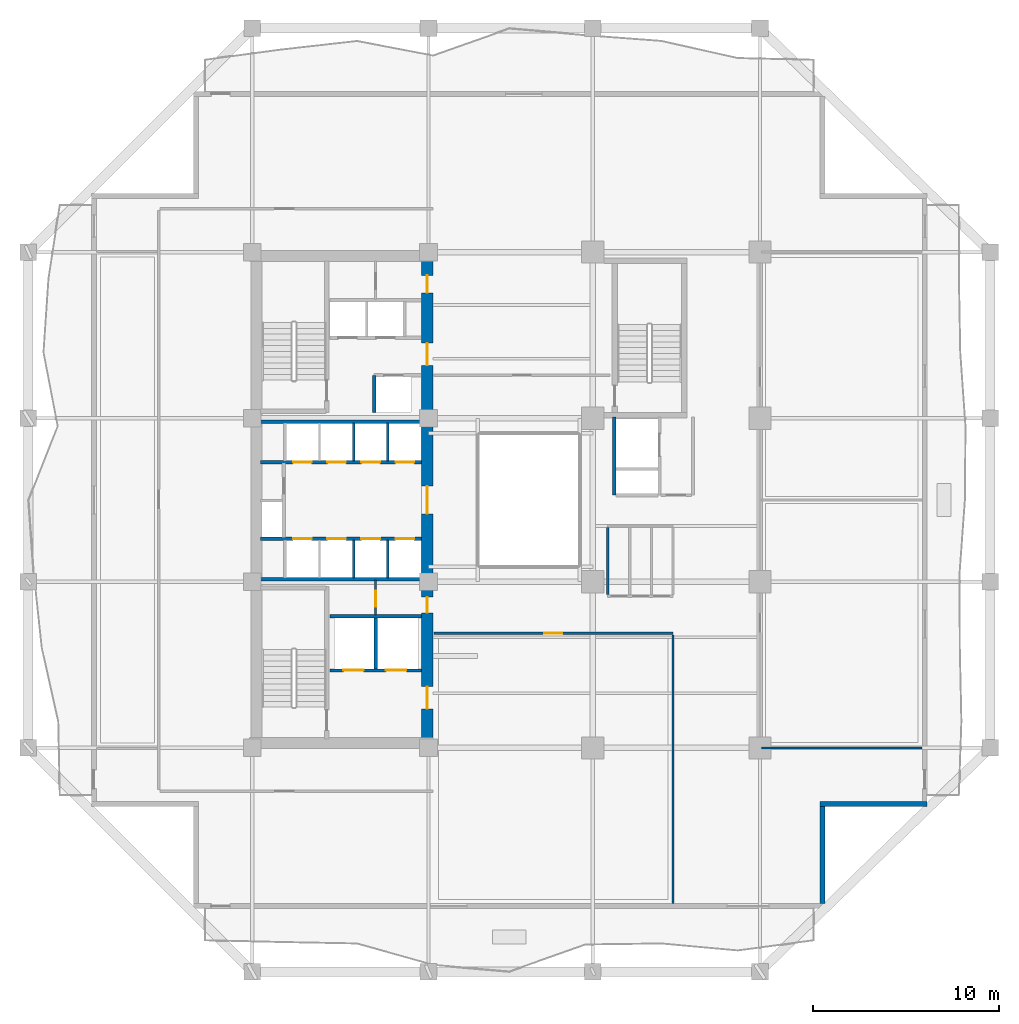
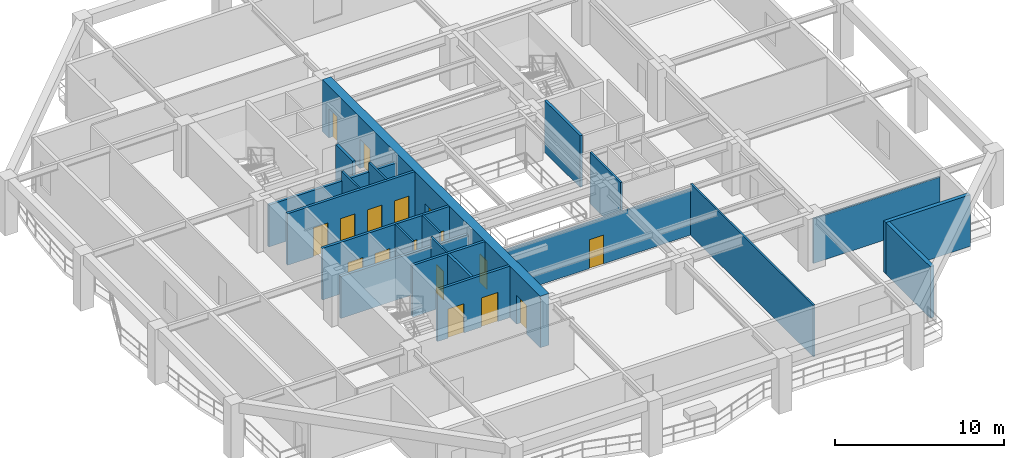
# One storey, part 3 of 13: 21 walls, 17 doors, 17 openings.
"""IFC4 building model written with IfcOpenShell, lengths in metres."""

from ifc_helpers import new_model, si_unit, direction, frame, frame_2d, origin, place, context, subcontext, project, spatial, rectangle, extrude, material, layer, layer_set, type_object, element, fill, save


model = new_model("IFC4")

# Units and contexts
model_context = context("Model", 3, precision=1e-05, world=origin(), true_north=direction((0.0, 1.0)))
body_context = subcontext(model_context, "Body", "Model", "MODEL_VIEW")
ifc_project = project(units=[si_unit("LENGTHUNIT", "METRE"), si_unit("AREAUNIT", "SQUARE_METRE"), si_unit("VOLUMEUNIT", "CUBIC_METRE"), si_unit("PLANEANGLEUNIT", "RADIAN"), si_unit("MASSUNIT", "GRAM", prefix="KILO")], contexts=[model_context])

# Site, building, storey
site_placement = place(None, origin())
site = spatial("IfcSite", under=ifc_project, at=site_placement, CompositionType="ELEMENT")
building_placement = place(site_placement, origin())
building = spatial("IfcBuilding", under=site, at=building_placement, Name="Kundavana Baori Tower", CompositionType="ELEMENT")
storey_placement = place(building_placement, frame((0.0, 0.0, 34.0)))
storey = spatial("IfcBuildingStorey", under=building, at=storey_placement, Name="L07", CompositionType="ELEMENT", Elevation=34.0)

# Wall, openings, doors
ifc_material_1 = material(Name="Concrete C60/75", Category="concrete")
ifc_layer_1 = layer(ifc_material_1, 0.60009765625, Name="WL-CORE-600")
ifc_layer_set_1 = layer_set([ifc_layer_1], Name="Concrete C60/75")
wall_type_1 = type_object("IfcWallType", Name="WL-CORE-600", PredefinedType="SHEAR", material=ifc_layer_set_1)
wall_1_placement = place(storey_placement, frame((24.8798828125, 15.739990234375, 0.0), z_axis=(0.0, 0.0, 1.0), x_axis=(0.0, 1.0, 0.0)))
wall_1 = element("IfcWall", 1, at=wall_1_placement, inside=storey, type_object=wall_type_1, Name="L07 Offset Core East Shear Wall", PredefinedType="SHEAR", context=body_context, shape_type="SweptSolid", body=[
    extrude(rectangle(XDim=25.760009765625, YDim=0.60009765625, at=frame_2d((12.8798828125, 0.0))), origin(), (0.0, 0.0, 1.0), 3.719970703125),
])
opening_1_placement = place(wall_1_placement, frame((1.610107421875, 0.0, 0.0)))
opening_1 = element("IfcOpeningElement", 2, at=opening_1_placement, cuts=wall_1, Name="Opening FD-120", PredefinedType="OPENING", context=body_context, shape_type="SweptSolid", body=[
    extrude(rectangle(XDim=1.199951171875, YDim=2.10009765625, at=frame_2d((0.60009765625, 1.050048828125))), frame((0.0, 0.31005859375, 0.0), z_axis=(0.0, -1.0, 0.0), x_axis=(1.0, 0.0, 0.0)), (0.0, 0.0, 1.0), 0.6201171875),
])
opening_2_placement = place(wall_1_placement, frame((6.780029296875, 0.0, 0.0)))
opening_2 = element("IfcOpeningElement", 3, at=opening_2_placement, cuts=wall_1, Name="Opening FD-085", PredefinedType="OPENING", context=body_context, shape_type="SweptSolid", body=[
    extrude(rectangle(XDim=0.85009765625, YDim=2.06005859375, at=frame_2d((0.425048828125, 1.030029296875))), frame((0.0, 0.31005859375, 0.0), z_axis=(0.0, -1.0, 0.0), x_axis=(1.0, 0.0, 0.0)), (0.0, 0.0, 1.0), 0.6201171875),
])
opening_3_placement = place(wall_1_placement, frame((12.110107421875, 0.0, 0.0)))
opening_3 = element("IfcOpeningElement", 4, at=opening_3_placement, cuts=wall_1, Name="Opening FD-150", PredefinedType="OPENING", context=body_context, shape_type="SweptSolid", body=[
    extrude(rectangle(XDim=1.5, YDim=2.1201171875, at=frame_2d((0.75, 1.06005859375))), frame((0.0, 0.31005859375, 0.0), z_axis=(0.0, -1.0, 0.0), x_axis=(1.0, 0.0, 0.0)), (0.0, 0.0, 1.0), 0.6201171875),
])
opening_4_placement = place(wall_1_placement, frame((20.110107421875, 0.0, 0.0)))
opening_4 = element("IfcOpeningElement", 5, at=opening_4_placement, cuts=wall_1, Name="Opening FD-122", PredefinedType="OPENING", context=body_context, shape_type="SweptSolid", body=[
    extrude(rectangle(XDim=1.199951171875, YDim=2.1201171875, at=frame_2d((0.60009765625, 1.06005859375))), frame((0.0, 0.31005859375, 0.0), z_axis=(0.0, -1.0, 0.0), x_axis=(1.0, 0.0, 0.0)), (0.0, 0.0, 1.0), 0.6201171875),
])
opening_5_placement = place(wall_1_placement, frame((24.010009765625, 0.0, 0.0)))
opening_5 = element("IfcOpeningElement", 6, at=opening_5_placement, cuts=wall_1, Name="Opening FD-095", PredefinedType="OPENING", context=body_context, shape_type="SweptSolid", body=[
    extrude(rectangle(XDim=0.949951171875, YDim=2.10009765625, at=frame_2d((0.47509765625, 1.050048828125))), frame((0.0, 0.31005859375, 0.0), z_axis=(0.0, -1.0, 0.0), x_axis=(1.0, 0.0, 0.0)), (0.0, 0.0, 1.0), 0.6201171875),
])
ifc_material_2 = material(Name="Galvanised Steel Fire-Rated Door Leaf", Category="steel")
door_type_1 = type_object("IfcDoorType", Name="DR-FD120-1200", OperationType="NOTDEFINED", PredefinedType="DOOR", material=ifc_material_2)
door_1_placement = place(opening_1_placement, frame((1.199951171875, 0.0, 0.0), z_axis=(0.0, 0.0, 1.0), x_axis=(-1.0, 0.0, 0.0)))
door_1 = element("IfcDoor", 7, at=door_1_placement, inside=storey, type_object=door_type_1, Name="DR-L07-FFLOB-E", OperationType="SINGLE_SWING_RIGHT", OverallHeight=2.10009765625, OverallWidth=1.199951171875, PredefinedType="DOOR", context=body_context, shape_type="SweptSolid", body=[
    extrude(rectangle(XDim=1.199951171875, YDim=2.10009765625, at=frame_2d((0.60009765625, 1.050048828125))), frame((0.0, 0.02490234375, 0.0), z_axis=(0.0, -1.0, 0.0), x_axis=(1.0, 0.0, 0.0)), (0.0, 0.0, 1.0), 0.050048828125),
])
fill(opening_1, door_1)
ifc_material_3 = material(Name="Galvanised Steel Fire-Rated Door Leaf", Category="steel")
door_type_2 = type_object("IfcDoorType", Name="DR-FD60-1200", OperationType="NOTDEFINED", PredefinedType="DOOR", material=ifc_material_3)
door_2_placement = place(opening_4_placement, frame((1.199951171875, 0.0, 0.0), z_axis=(0.0, 0.0, 1.0), x_axis=(-1.0, 0.0, 0.0)))
door_2 = element("IfcDoor", 8, at=door_2_placement, inside=storey, type_object=door_type_2, Name="DR-L07-HRLOB-E", OperationType="SINGLE_SWING_RIGHT", OverallHeight=2.1201171875, OverallWidth=1.199951171875, PredefinedType="DOOR", context=body_context, shape_type="SweptSolid", body=[
    extrude(rectangle(XDim=1.199951171875, YDim=2.1201171875, at=frame_2d((0.60009765625, 1.06005859375))), frame((0.0, 0.02490234375, 0.0), z_axis=(0.0, -1.0, 0.0), x_axis=(1.0, 0.0, 0.0)), (0.0, 0.0, 1.0), 0.050048828125),
])
fill(opening_4, door_2)
ifc_material_4 = material(Name="Galvanised Steel Fire-Rated Door Leaf", Category="steel")
door_type_3 = type_object("IfcDoorType", Name="DR-FD60-1500", OperationType="NOTDEFINED", PredefinedType="DOOR", material=ifc_material_4)
door_3_placement = place(opening_3_placement, frame((1.5, 0.0, 0.0), z_axis=(0.0, 0.0, 1.0), x_axis=(-1.0, 0.0, 0.0)))
door_3 = element("IfcDoor", 9, at=door_3_placement, inside=storey, type_object=door_type_3, Name="DR-L07-LIFTHALL-E", OperationType="SINGLE_SWING_LEFT", OverallHeight=2.1201171875, OverallWidth=1.5, PredefinedType="DOOR", context=body_context, shape_type="SweptSolid", body=[
    extrude(rectangle(XDim=1.5, YDim=2.1201171875, at=frame_2d((0.75, 1.06005859375))), frame((0.0, 0.02490234375, 0.0), z_axis=(0.0, -1.0, 0.0), x_axis=(1.0, 0.0, 0.0)), (0.0, 0.0, 1.0), 0.050048828125),
])
fill(opening_3, door_3)
ifc_material_5 = material(Name="Galvanised Steel Fire-Rated Door Leaf", Category="steel")
door_type_4 = type_object("IfcDoorType", Name="DR-FD60-850", OperationType="NOTDEFINED", PredefinedType="DOOR", material=ifc_material_5)
door_4_placement = place(opening_2_placement, frame((0.85009765625, 0.0, 0.0), z_axis=(0.0, 0.0, 1.0), x_axis=(-1.0, 0.0, 0.0)))
door_4 = element("IfcDoor", 10, at=door_4_placement, inside=storey, type_object=door_type_4, Name="DR-L07-CSMK2", OperationType="SINGLE_SWING_RIGHT", OverallHeight=2.06005859375, OverallWidth=0.85009765625, PredefinedType="DOOR", context=body_context, shape_type="SweptSolid", body=[
    extrude(rectangle(XDim=0.85009765625, YDim=2.06005859375, at=frame_2d((0.425048828125, 1.030029296875))), frame((0.0, 0.02490234375, 0.0), z_axis=(0.0, -1.0, 0.0), x_axis=(1.0, 0.0, 0.0)), (0.0, 0.0, 1.0), 0.050048828125),
])
fill(opening_2, door_4)
ifc_material_6 = material(Name="Engineered Teak Fire-Rated Timber Door Leaf", Category="wood")
door_type_5 = type_object("IfcDoorType", Name="DR-FD60-950", OperationType="NOTDEFINED", PredefinedType="DOOR", material=ifc_material_6)
door_5_placement = place(opening_5_placement, frame((0.949951171875, 0.0, 0.0), z_axis=(0.0, 0.0, 1.0), x_axis=(-1.0, 0.0, 0.0)))
door_5 = element("IfcDoor", 11, at=door_5_placement, inside=storey, type_object=door_type_5, Name="DR-L07-CSRV2", OperationType="SINGLE_SWING_RIGHT", OverallHeight=2.10009765625, OverallWidth=0.949951171875, PredefinedType="DOOR", context=body_context, shape_type="SweptSolid", body=[
    extrude(rectangle(XDim=0.949951171875, YDim=2.10009765625, at=frame_2d((0.47509765625, 1.050048828125))), frame((0.0, 0.02490234375, 0.0), z_axis=(0.0, -1.0, 0.0), x_axis=(1.0, 0.0, 0.0)), (0.0, 0.0, 1.0), 0.050048828125),
])
fill(opening_5, door_5)

# Walls
ifc_material_7 = material(Name="Kiln-Fired Terracotta Brick-Slip Masonry on Concrete C40/50", Category="masonry")
ifc_layer_2 = layer(ifc_material_7, 0.260009765625, Name="WL-EXT-BRK-260")
ifc_layer_set_2 = layer_set([ifc_layer_2], Name="Kiln-Fired Terracotta Brick-Slip Masonry on Concrete C40/50")
wall_type_2 = type_object("IfcWallType", Name="WL-EXT-BRK-260", PredefinedType="SOLIDWALL", material=ifc_layer_set_2)
wall_2_placement = place(storey_placement, frame((46.169921875, 6.860107421875, 0.0), z_axis=(0.0, 0.0, 1.0), x_axis=(0.0, 1.0, 0.0)))
element("IfcWall", 12, at=wall_2_placement, inside=storey, type_object=wall_type_2, Name="L07 Exterior Insulated Facade Wall 02", PredefinedType="SOLIDWALL", context=body_context, shape_type="SweptSolid", body=[
    extrude(rectangle(XDim=5.239990234375, YDim=0.260009765625, at=frame_2d((2.6201171875, 0.0))), origin(), (0.0, 0.0, 1.0), 3.719970703125),
])
wall_3_placement = place(storey_placement, frame((46.0400390625, 12.22998046875, 0.0), z_axis=(0.0, 0.0, 1.0), x_axis=(1.0, 0.0, 0.0)))
element("IfcWall", 13, at=wall_3_placement, inside=storey, type_object=wall_type_2, Name="L07 Exterior Insulated Facade Wall 03", PredefinedType="SOLIDWALL", context=body_context, shape_type="SweptSolid", body=[
    extrude(rectangle(XDim=5.760009765625, YDim=0.260009765625, at=frame_2d((2.8798828125, 0.0))), origin(), (0.0, 0.0, 1.0), 3.719970703125),
])

# Wall, opening, door
ifc_material_8 = material(Name="Acoustic Gypsum Plasterboard on Galvanised Steel Studs", Category="steel")
ifc_layer_3 = layer(ifc_material_8, 0.1201171875, Name="WL-PART-120")
ifc_layer_set_3 = layer_set([ifc_layer_3], Name="Acoustic Gypsum Plasterboard on Galvanised Steel Studs")
wall_type_3 = type_object("IfcWallType", Name="WL-PART-120", PredefinedType="PARTITIONING", material=ifc_layer_set_3)
wall_4_placement = place(storey_placement, frame((22.10009765625, 22.39990234375, 0.0), z_axis=(0.0, 0.0, 1.0), x_axis=(0.0, 1.0, 0.0)))
wall_4 = element("IfcWall", 14, at=wall_4_placement, inside=storey, type_object=wall_type_3, Name="WL-L07-CSMK-D1", PredefinedType="PARTITIONING", context=body_context, shape_type="SweptSolid", body=[
    extrude(rectangle(XDim=1.880126953125, YDim=0.1201171875, at=frame_2d((0.93994140625, 0.0))), origin(), (0.0, 0.0, 1.0), 3.719970703125),
])
opening_6_placement = place(wall_4_placement, frame((0.449951171875, 0.0, 0.0)))
opening_6 = element("IfcOpeningElement", 15, at=opening_6_placement, cuts=wall_4, Name="Opening FD-085", PredefinedType="OPENING", context=body_context, shape_type="SweptSolid", body=[
    extrude(rectangle(XDim=0.85009765625, YDim=2.06005859375, at=frame_2d((0.425048828125, 1.030029296875))), frame((0.0, 0.070068359375, 0.0), z_axis=(0.0, -1.0, 0.0), x_axis=(1.0, 0.0, 0.0)), (0.0, 0.0, 1.0), 0.14013671875),
])
door_6_placement = place(opening_6_placement, origin())
door_6 = element("IfcDoor", 16, at=door_6_placement, inside=storey, type_object=door_type_4, Name="DR-L07-CSMK1", OperationType="SINGLE_SWING_LEFT", OverallHeight=2.06005859375, OverallWidth=0.85009765625, PredefinedType="DOOR", context=body_context, shape_type="SweptSolid", body=[
    extrude(rectangle(XDim=0.85009765625, YDim=2.06005859375, at=frame_2d((0.425048828125, 1.030029296875))), frame((0.0, 0.02490234375, 0.0), z_axis=(0.0, -1.0, 0.0), x_axis=(1.0, 0.0, 0.0)), (0.0, 0.0, 1.0), 0.050048828125),
])
fill(opening_6, door_6)

# Walls
for number, where, z_axis, x_axis, name in (
    (17, (20.919921875, 24.39990234375, 0.0), (0.0, 0.0, 1.0), (0.0, 1.0, 0.0), "WL-L07-LPLOW-D2"),
    (18, (22.760009765625, 24.39990234375, 0.0), (0.0, 0.0, 1.0), (0.0, 1.0, 0.0), "WL-L07-LPLOW-D3"),
    (19, (20.919921875, 30.699951171875, 0.0), (0.0, 0.0, 1.0), (0.0, 1.0, 0.0), "WL-L07-LPMID-D2"),
    (20, (22.760009765625, 30.699951171875, 0.0), (0.0, 0.0, 1.0), (0.0, 1.0, 0.0), "WL-L07-LPMID-D3"),
):
    element("IfcWall", number, at=place(storey_placement, frame(where, z_axis=z_axis, x_axis=x_axis)), inside=storey, type_object=wall_type_3, Name=name, PredefinedType="PARTITIONING", context=body_context, shape_type="SweptSolid", body=[
        extrude(rectangle(XDim=2.050048828125, YDim=0.1201171875, at=frame_2d((1.02490234375, 0.0))), origin(), (0.0, 0.0, 1.0), 3.719970703125),
    ])

# Wall, opening, door
wall_5_placement = place(storey_placement, frame((25.25, 21.419921875, 0.0), z_axis=(0.0, 0.0, 1.0), x_axis=(1.0, 0.0, 0.0)))
wall_5 = element("IfcWall", 21, at=wall_5_placement, inside=storey, type_object=wall_type_3, Name="WL-L07-OFS", PredefinedType="PARTITIONING", context=body_context, shape_type="SweptSolid", body=[
    extrude(rectangle(XDim=12.8701171875, YDim=0.1201171875, at=frame_2d((6.43505859375, 0.0))), origin(), (0.0, 0.0, 1.0), 3.320068359375),
])
opening_7_placement = place(wall_5_placement, frame((5.945068359375, 0.0, 0.0)))
opening_7 = element("IfcOpeningElement", 22, at=opening_7_placement, cuts=wall_5, Name="Opening ID-095", PredefinedType="OPENING", context=body_context, shape_type="SweptSolid", body=[
    extrude(rectangle(XDim=0.949951171875, YDim=2.080078125, at=frame_2d((0.47509765625, 1.0400390625))), frame((0.0, 0.070068359375, 0.0), z_axis=(0.0, -1.0, 0.0), x_axis=(1.0, 0.0, 0.0)), (0.0, 0.0, 1.0), 0.14013671875),
])
ifc_material_9 = material(Name="Engineered Teak Solid-Core Timber Veneer", Category="wood")
door_type_6 = type_object("IfcDoorType", Name="DR-INT-950", OperationType="NOTDEFINED", PredefinedType="DOOR", material=ifc_material_9)
door_7_placement = place(opening_7_placement, frame((0.949951171875, 0.0, 0.0), z_axis=(0.0, 0.0, 1.0), x_axis=(-1.0, 0.0, 0.0)))
door_7 = element("IfcDoor", 23, at=door_7_placement, inside=storey, type_object=door_type_6, Name="DR-L07-OFS1", OperationType="SINGLE_SWING_LEFT", OverallHeight=2.080078125, OverallWidth=0.949951171875, PredefinedType="DOOR", context=body_context, shape_type="SweptSolid", body=[
    extrude(rectangle(XDim=0.949951171875, YDim=2.080078125, at=frame_2d((0.47509765625, 1.0400390625))), frame((0.0, 0.02490234375, 0.0), z_axis=(0.0, -1.0, 0.0), x_axis=(1.0, 0.0, 0.0)), (0.0, 0.0, 1.0), 0.050048828125),
])
fill(opening_7, door_7)

# Walls
wall_6_placement = place(storey_placement, frame((38.1201171875, 6.8798828125, 0.0), z_axis=(0.0, 0.0, 1.0), x_axis=(0.0, 1.0, 0.0)))
element("IfcWall", 24, at=wall_6_placement, inside=storey, type_object=wall_type_3, Name="WL-L07-OFSEND", PredefinedType="PARTITIONING", context=body_context, shape_type="SweptSolid", body=[
    extrude(rectangle(XDim=14.460205078125, YDim=0.1201171875, at=frame_2d((7.22998046875, 0.0))), origin(), (0.0, 0.0, 1.0), 3.719970703125),
])
wall_7_placement = place(storey_placement, frame((42.8798828125, 15.25, 0.0), z_axis=(0.0, 0.0, 1.0), x_axis=(1.0, 0.0, 0.0)))
element("IfcWall", 25, at=wall_7_placement, inside=storey, type_object=wall_type_3, Name="WL-L07-OFES", PredefinedType="PARTITIONING", context=body_context, shape_type="SweptSolid", body=[
    extrude(rectangle(XDim=8.64013671875, YDim=0.1201171875, at=frame_2d((4.320068359375, 0.0))), origin(), (0.0, 0.0, 1.0), 3.219970703125),
])

# Wall, openings, doors
ifc_material_10 = material(Name="Autoclaved Aerated Concrete Blockwork Masonry", Category="masonry")
ifc_layer_4 = layer(ifc_material_10, 0.179931640625, Name="WL-SHAFT-180")
ifc_layer_set_4 = layer_set([ifc_layer_4], Name="Autoclaved Aerated Concrete Blockwork Masonry")
wall_type_4 = type_object("IfcWallType", Name="WL-SHAFT-180", PredefinedType="SOLIDWALL", material=ifc_layer_set_4)
wall_8_placement = place(storey_placement, frame((19.639892578125, 19.419921875, 0.0), z_axis=(0.0, 0.0, 1.0), x_axis=(1.0, 0.0, 0.0)))
wall_8 = element("IfcWall", 26, at=wall_8_placement, inside=storey, type_object=wall_type_4, Name="WL-L07-FFL-S", PredefinedType="SOLIDWALL", context=body_context, shape_type="SweptSolid", body=[
    extrude(rectangle(XDim=4.940185546875, YDim=0.179931640625, at=frame_2d((2.47021484375, 0.0))), origin(), (0.0, 0.0, 1.0), 3.719970703125),
])
opening_8_placement = place(wall_8_placement, frame((0.719970703125, 0.0, 0.0)))
opening_8 = element("IfcOpeningElement", 27, at=opening_8_placement, cuts=wall_8, Name="Opening LD-110", PredefinedType="OPENING", context=body_context, shape_type="SweptSolid", body=[
    extrude(rectangle(XDim=1.10009765625, YDim=2.10009765625, at=frame_2d((0.550048828125, 1.050048828125))), frame((0.0, 0.10009765625, 0.0), z_axis=(0.0, -1.0, 0.0), x_axis=(1.0, 0.0, 0.0)), (0.0, 0.0, 1.0), 0.199951171875),
])
opening_9_placement = place(wall_8_placement, frame((3.02001953125, 0.0, 0.0)))
opening_9 = element("IfcOpeningElement", 28, at=opening_9_placement, cuts=wall_8, Name="Opening LD-110", PredefinedType="OPENING", context=body_context, shape_type="SweptSolid", body=[
    extrude(rectangle(XDim=1.10009765625, YDim=2.10009765625, at=frame_2d((0.550048828125, 1.050048828125))), frame((0.0, 0.10009765625, 0.0), z_axis=(0.0, -1.0, 0.0), x_axis=(1.0, 0.0, 0.0)), (0.0, 0.0, 1.0), 0.199951171875),
])
ifc_material_11 = material(Name="Galvanised Steel Fire-Rated Door Leaf", Category="steel")
door_type_7 = type_object("IfcDoorType", Name="DR-SLIDE-LD1100", OperationType="NOTDEFINED", PredefinedType="DOOR", material=ifc_material_11)
door_8_placement = place(opening_8_placement, origin())
door_8 = element("IfcDoor", 29, at=door_8_placement, inside=storey, type_object=door_type_7, Name="DR-L07-LD-FFL-1", OperationType="DOUBLE_DOOR_SLIDING", OverallHeight=2.10009765625, OverallWidth=1.10009765625, PredefinedType="DOOR", context=body_context, shape_type="SweptSolid", body=[
    extrude(rectangle(XDim=1.10009765625, YDim=2.10009765625, at=frame_2d((0.550048828125, 1.050048828125))), frame((0.0, 0.02490234375, 0.0), z_axis=(0.0, -1.0, 0.0), x_axis=(1.0, 0.0, 0.0)), (0.0, 0.0, 1.0), 0.050048828125),
])
fill(opening_8, door_8)
door_9_placement = place(opening_9_placement, origin())
door_9 = element("IfcDoor", 30, at=door_9_placement, inside=storey, type_object=door_type_7, Name="DR-L07-LD-FFL-2", OperationType="DOUBLE_DOOR_SLIDING", OverallHeight=2.10009765625, OverallWidth=1.10009765625, PredefinedType="DOOR", context=body_context, shape_type="SweptSolid", body=[
    extrude(rectangle(XDim=1.10009765625, YDim=2.10009765625, at=frame_2d((0.550048828125, 1.050048828125))), frame((0.0, 0.02490234375, 0.0), z_axis=(0.0, -1.0, 0.0), x_axis=(1.0, 0.0, 0.0)), (0.0, 0.0, 1.0), 0.050048828125),
])
fill(opening_9, door_9)

# Walls
wall_9_placement = place(storey_placement, frame((22.10009765625, 19.510009765625, 0.0), z_axis=(0.0, 0.0, 1.0), x_axis=(0.0, 1.0, 0.0)))
element("IfcWall", 31, at=wall_9_placement, inside=storey, type_object=wall_type_4, Name="WL-L07-FFL-MID", PredefinedType="SOLIDWALL", context=body_context, shape_type="SweptSolid", body=[
    extrude(rectangle(XDim=2.739990234375, YDim=0.179931640625, at=frame_2d((1.3701171875, 0.0))), origin(), (0.0, 0.0, 1.0), 3.719970703125),
])
wall_10_placement = place(storey_placement, frame((19.639892578125, 22.340087890625, 0.0), z_axis=(0.0, 0.0, 1.0), x_axis=(1.0, 0.0, 0.0)))
element("IfcWall", 32, at=wall_10_placement, inside=storey, type_object=wall_type_4, Name="WL-L07-FFL-N", PredefinedType="SOLIDWALL", context=body_context, shape_type="SweptSolid", body=[
    extrude(rectangle(XDim=4.940185546875, YDim=0.179931640625, at=frame_2d((2.47021484375, 0.0))), origin(), (0.0, 0.0, 1.0), 3.719970703125),
])

# Wall, openings, doors
wall_11_placement = place(storey_placement, frame((15.89990234375, 26.52001953125, 0.0), z_axis=(0.0, 0.0, 1.0), x_axis=(1.0, 0.0, 0.0)))
wall_11 = element("IfcWall", 33, at=wall_11_placement, inside=storey, type_object=wall_type_4, Name="WL-L07-LPLOW-N", PredefinedType="SOLIDWALL", context=body_context, shape_type="SweptSolid", body=[
    extrude(rectangle(XDim=8.68017578125, YDim=0.179931640625, at=frame_2d((4.340087890625, 0.0))), origin(), (0.0, 0.0, 1.0), 3.719970703125),
])
opening_10_placement = place(wall_11_placement, frame((1.760009765625, 0.0, 0.0)))
opening_10 = element("IfcOpeningElement", 34, at=opening_10_placement, cuts=wall_11, Name="Opening LD-100", PredefinedType="OPENING", context=body_context, shape_type="SweptSolid", body=[
    extrude(rectangle(XDim=1.0, YDim=2.10009765625, at=frame_2d((0.5, 1.050048828125))), frame((0.0, 0.10009765625, 0.0), z_axis=(0.0, -1.0, 0.0), x_axis=(1.0, 0.0, 0.0)), (0.0, 0.0, 1.0), 0.199951171875),
])
opening_11_placement = place(wall_11_placement, frame((3.60009765625, 0.0, 0.0)))
opening_11 = element("IfcOpeningElement", 35, at=opening_11_placement, cuts=wall_11, Name="Opening LD-100", PredefinedType="OPENING", context=body_context, shape_type="SweptSolid", body=[
    extrude(rectangle(XDim=1.0, YDim=2.10009765625, at=frame_2d((0.5, 1.050048828125))), frame((0.0, 0.10009765625, 0.0), z_axis=(0.0, -1.0, 0.0), x_axis=(1.0, 0.0, 0.0)), (0.0, 0.0, 1.0), 0.199951171875),
])
opening_12_placement = place(wall_11_placement, frame((5.43994140625, 0.0, 0.0)))
opening_12 = element("IfcOpeningElement", 36, at=opening_12_placement, cuts=wall_11, Name="Opening LD-100", PredefinedType="OPENING", context=body_context, shape_type="SweptSolid", body=[
    extrude(rectangle(XDim=1.0, YDim=2.10009765625, at=frame_2d((0.5, 1.050048828125))), frame((0.0, 0.10009765625, 0.0), z_axis=(0.0, -1.0, 0.0), x_axis=(1.0, 0.0, 0.0)), (0.0, 0.0, 1.0), 0.199951171875),
])
opening_13_placement = place(wall_11_placement, frame((7.280029296875, 0.0, 0.0)))
opening_13 = element("IfcOpeningElement", 37, at=opening_13_placement, cuts=wall_11, Name="Opening LD-100", PredefinedType="OPENING", context=body_context, shape_type="SweptSolid", body=[
    extrude(rectangle(XDim=1.0, YDim=2.10009765625, at=frame_2d((0.5, 1.050048828125))), frame((0.0, 0.10009765625, 0.0), z_axis=(0.0, -1.0, 0.0), x_axis=(1.0, 0.0, 0.0)), (0.0, 0.0, 1.0), 0.199951171875),
])
ifc_material_12 = material(Name="Galvanised Steel Fire-Rated Door Leaf", Category="steel")
door_type_8 = type_object("IfcDoorType", Name="DR-SLIDE-LD1000", OperationType="NOTDEFINED", PredefinedType="DOOR", material=ifc_material_12)
door_10_placement = place(opening_10_placement, origin())
door_10 = element("IfcDoor", 38, at=door_10_placement, inside=storey, type_object=door_type_8, Name="DR-L07-LD-LP-01", OperationType="DOUBLE_DOOR_SLIDING", OverallHeight=2.10009765625, OverallWidth=1.0, PredefinedType="DOOR", context=body_context, shape_type="SweptSolid", body=[
    extrude(rectangle(XDim=1.0, YDim=2.10009765625, at=frame_2d((0.5, 1.050048828125))), frame((0.0, 0.02490234375, 0.0), z_axis=(0.0, -1.0, 0.0), x_axis=(1.0, 0.0, 0.0)), (0.0, 0.0, 1.0), 0.050048828125),
])
fill(opening_10, door_10)
door_11_placement = place(opening_11_placement, origin())
door_11 = element("IfcDoor", 39, at=door_11_placement, inside=storey, type_object=door_type_8, Name="DR-L07-LD-LP-02", OperationType="DOUBLE_DOOR_SLIDING", OverallHeight=2.10009765625, OverallWidth=1.0, PredefinedType="DOOR", context=body_context, shape_type="SweptSolid", body=[
    extrude(rectangle(XDim=1.0, YDim=2.10009765625, at=frame_2d((0.5, 1.050048828125))), frame((0.0, 0.02490234375, 0.0), z_axis=(0.0, -1.0, 0.0), x_axis=(1.0, 0.0, 0.0)), (0.0, 0.0, 1.0), 0.050048828125),
])
fill(opening_11, door_11)
door_12_placement = place(opening_12_placement, origin())
door_12 = element("IfcDoor", 40, at=door_12_placement, inside=storey, type_object=door_type_8, Name="DR-L07-LD-LP-03", OperationType="DOUBLE_DOOR_SLIDING", OverallHeight=2.10009765625, OverallWidth=1.0, PredefinedType="DOOR", context=body_context, shape_type="SweptSolid", body=[
    extrude(rectangle(XDim=1.0, YDim=2.10009765625, at=frame_2d((0.5, 1.050048828125))), frame((0.0, 0.02490234375, 0.0), z_axis=(0.0, -1.0, 0.0), x_axis=(1.0, 0.0, 0.0)), (0.0, 0.0, 1.0), 0.050048828125),
])
fill(opening_12, door_12)
door_13_placement = place(opening_13_placement, origin())
door_13 = element("IfcDoor", 41, at=door_13_placement, inside=storey, type_object=door_type_8, Name="DR-L07-LD-LP-04", OperationType="DOUBLE_DOOR_SLIDING", OverallHeight=2.10009765625, OverallWidth=1.0, PredefinedType="DOOR", context=body_context, shape_type="SweptSolid", body=[
    extrude(rectangle(XDim=1.0, YDim=2.10009765625, at=frame_2d((0.5, 1.050048828125))), frame((0.0, 0.02490234375, 0.0), z_axis=(0.0, -1.0, 0.0), x_axis=(1.0, 0.0, 0.0)), (0.0, 0.0, 1.0), 0.050048828125),
])
fill(opening_13, door_13)

# Wall
wall_12_placement = place(storey_placement, frame((15.89990234375, 24.330078125, 0.0), z_axis=(0.0, 0.0, 1.0), x_axis=(1.0, 0.0, 0.0)))
element("IfcWall", 42, at=wall_12_placement, inside=storey, type_object=wall_type_4, Name="WL-L07-LPLOW-S", PredefinedType="SOLIDWALL", context=body_context, shape_type="SweptSolid", body=[
    extrude(rectangle(XDim=8.68017578125, YDim=0.179931640625, at=frame_2d((4.340087890625, 0.0))), origin(), (0.0, 0.0, 1.0), 3.02001953125),
])

# Wall, openings, doors
wall_13_placement = place(storey_placement, frame((15.89990234375, 30.639892578125, 0.0), z_axis=(0.0, 0.0, 1.0), x_axis=(1.0, 0.0, 0.0)))
wall_13 = element("IfcWall", 43, at=wall_13_placement, inside=storey, type_object=wall_type_4, Name="WL-L07-LPMID-S", PredefinedType="SOLIDWALL", context=body_context, shape_type="SweptSolid", body=[
    extrude(rectangle(XDim=8.68017578125, YDim=0.179931640625, at=frame_2d((4.340087890625, 0.0))), origin(), (0.0, 0.0, 1.0), 3.719970703125),
])
opening_14_placement = place(wall_13_placement, frame((1.760009765625, 0.0, 0.0)))
opening_14 = element("IfcOpeningElement", 44, at=opening_14_placement, cuts=wall_13, Name="Opening LD-100", PredefinedType="OPENING", context=body_context, shape_type="SweptSolid", body=[
    extrude(rectangle(XDim=1.0, YDim=2.10009765625, at=frame_2d((0.5, 1.050048828125))), frame((0.0, 0.10009765625, 0.0), z_axis=(0.0, -1.0, 0.0), x_axis=(1.0, 0.0, 0.0)), (0.0, 0.0, 1.0), 0.199951171875),
])
opening_15_placement = place(wall_13_placement, frame((3.60009765625, 0.0, 0.0)))
opening_15 = element("IfcOpeningElement", 45, at=opening_15_placement, cuts=wall_13, Name="Opening LD-100", PredefinedType="OPENING", context=body_context, shape_type="SweptSolid", body=[
    extrude(rectangle(XDim=1.0, YDim=2.10009765625, at=frame_2d((0.5, 1.050048828125))), frame((0.0, 0.10009765625, 0.0), z_axis=(0.0, -1.0, 0.0), x_axis=(1.0, 0.0, 0.0)), (0.0, 0.0, 1.0), 0.199951171875),
])
opening_16_placement = place(wall_13_placement, frame((5.43994140625, 0.0, 0.0)))
opening_16 = element("IfcOpeningElement", 46, at=opening_16_placement, cuts=wall_13, Name="Opening LD-100", PredefinedType="OPENING", context=body_context, shape_type="SweptSolid", body=[
    extrude(rectangle(XDim=1.0, YDim=2.10009765625, at=frame_2d((0.5, 1.050048828125))), frame((0.0, 0.10009765625, 0.0), z_axis=(0.0, -1.0, 0.0), x_axis=(1.0, 0.0, 0.0)), (0.0, 0.0, 1.0), 0.199951171875),
])
opening_17_placement = place(wall_13_placement, frame((7.280029296875, 0.0, 0.0)))
opening_17 = element("IfcOpeningElement", 47, at=opening_17_placement, cuts=wall_13, Name="Opening LD-100", PredefinedType="OPENING", context=body_context, shape_type="SweptSolid", body=[
    extrude(rectangle(XDim=1.0, YDim=2.10009765625, at=frame_2d((0.5, 1.050048828125))), frame((0.0, 0.10009765625, 0.0), z_axis=(0.0, -1.0, 0.0), x_axis=(1.0, 0.0, 0.0)), (0.0, 0.0, 1.0), 0.199951171875),
])
door_14_placement = place(opening_14_placement, frame((1.0, 0.0, 0.0), z_axis=(0.0, 0.0, 1.0), x_axis=(-1.0, 0.0, 0.0)))
door_14 = element("IfcDoor", 48, at=door_14_placement, inside=storey, type_object=door_type_8, Name="DR-L07-LD-LP-05", OperationType="DOUBLE_DOOR_SLIDING", OverallHeight=2.10009765625, OverallWidth=1.0, PredefinedType="DOOR", context=body_context, shape_type="SweptSolid", body=[
    extrude(rectangle(XDim=1.0, YDim=2.10009765625, at=frame_2d((0.5, 1.050048828125))), frame((0.0, 0.02490234375, 0.0), z_axis=(0.0, -1.0, 0.0), x_axis=(1.0, 0.0, 0.0)), (0.0, 0.0, 1.0), 0.050048828125),
])
fill(opening_14, door_14)
door_15_placement = place(opening_15_placement, frame((1.0, 0.0, 0.0), z_axis=(0.0, 0.0, 1.0), x_axis=(-1.0, 0.0, 0.0)))
door_15 = element("IfcDoor", 49, at=door_15_placement, inside=storey, type_object=door_type_8, Name="DR-L07-LD-LP-06", OperationType="DOUBLE_DOOR_SLIDING", OverallHeight=2.10009765625, OverallWidth=1.0, PredefinedType="DOOR", context=body_context, shape_type="SweptSolid", body=[
    extrude(rectangle(XDim=1.0, YDim=2.10009765625, at=frame_2d((0.5, 1.050048828125))), frame((0.0, 0.02490234375, 0.0), z_axis=(0.0, -1.0, 0.0), x_axis=(1.0, 0.0, 0.0)), (0.0, 0.0, 1.0), 0.050048828125),
])
fill(opening_15, door_15)
door_16_placement = place(opening_16_placement, frame((1.0, 0.0, 0.0), z_axis=(0.0, 0.0, 1.0), x_axis=(-1.0, 0.0, 0.0)))
door_16 = element("IfcDoor", 50, at=door_16_placement, inside=storey, type_object=door_type_8, Name="DR-L07-LD-LP-07", OperationType="DOUBLE_DOOR_SLIDING", OverallHeight=2.10009765625, OverallWidth=1.0, PredefinedType="DOOR", context=body_context, shape_type="SweptSolid", body=[
    extrude(rectangle(XDim=1.0, YDim=2.10009765625, at=frame_2d((0.5, 1.050048828125))), frame((0.0, 0.02490234375, 0.0), z_axis=(0.0, -1.0, 0.0), x_axis=(1.0, 0.0, 0.0)), (0.0, 0.0, 1.0), 0.050048828125),
])
fill(opening_16, door_16)
door_17_placement = place(opening_17_placement, frame((1.0, 0.0, 0.0), z_axis=(0.0, 0.0, 1.0), x_axis=(-1.0, 0.0, 0.0)))
door_17 = element("IfcDoor", 51, at=door_17_placement, inside=storey, type_object=door_type_8, Name="DR-L07-LD-LP-08", OperationType="DOUBLE_DOOR_SLIDING", OverallHeight=2.10009765625, OverallWidth=1.0, PredefinedType="DOOR", context=body_context, shape_type="SweptSolid", body=[
    extrude(rectangle(XDim=1.0, YDim=2.10009765625, at=frame_2d((0.5, 1.050048828125))), frame((0.0, 0.02490234375, 0.0), z_axis=(0.0, -1.0, 0.0), x_axis=(1.0, 0.0, 0.0)), (0.0, 0.0, 1.0), 0.050048828125),
])
fill(opening_17, door_17)

# Walls
wall_14_placement = place(storey_placement, frame((15.89990234375, 32.820068359375, 0.0), z_axis=(0.0, 0.0, 1.0), x_axis=(1.0, 0.0, 0.0)))
element("IfcWall", 52, at=wall_14_placement, inside=storey, type_object=wall_type_4, Name="WL-L07-LPMID-N", PredefinedType="SOLIDWALL", context=body_context, shape_type="SweptSolid", body=[
    extrude(rectangle(XDim=8.68017578125, YDim=0.179931640625, at=frame_2d((4.340087890625, 0.0))), origin(), (0.0, 0.0, 1.0), 3.02001953125),
])
wall_15_placement = place(storey_placement, frame((22.02001953125, 33.300048828125, 0.0), z_axis=(0.0, 0.0, 1.0), x_axis=(0.0, 1.0, 0.0)))
element("IfcWall", 53, at=wall_15_placement, inside=storey, type_object=wall_type_4, Name="WL-L07-LP11-W", PredefinedType="SOLIDWALL", context=body_context, shape_type="SweptSolid", body=[
    extrude(rectangle(XDim=2.010009765625, YDim=0.179931640625, at=frame_2d((1.0048828125, 0.0))), origin(), (0.0, 0.0, 1.0), 3.719970703125),
])
wall_16_placement = place(storey_placement, frame((34.9599609375, 28.860107421875, 0.0), z_axis=(0.0, 0.0, 1.0), x_axis=(0.0, 1.0, 0.0)))
element("IfcWall", 54, at=wall_16_placement, inside=storey, type_object=wall_type_4, Name="WL-L07-SVL-W", PredefinedType="SOLIDWALL", context=body_context, shape_type="SweptSolid", body=[
    extrude(rectangle(XDim=4.219970703125, YDim=0.179931640625, at=frame_2d((2.10986328125, 0.0))), origin(), (0.0, 0.0, 1.0), 3.719970703125),
])
ifc_material_13 = material(Name="Autoclaved Aerated Concrete Blockwork Masonry", Category="masonry")
ifc_layer_5 = layer(ifc_material_13, 0.125, Name="WL-WET-120")
ifc_layer_set_5 = layer_set([ifc_layer_5], Name="Autoclaved Aerated Concrete Blockwork Masonry")
wall_type_5 = type_object("IfcWallType", Name="WL-WET-120", PredefinedType="PLUMBINGWALL", material=ifc_layer_set_5)
wall_17_placement = place(storey_placement, frame((34.60009765625, 23.5, 0.0), z_axis=(0.0, 0.0, 1.0), x_axis=(0.0, 1.0, 0.0)))
element("IfcWall", 55, at=wall_17_placement, inside=storey, type_object=wall_type_5, Name="WL-L07-WCW", PredefinedType="PLUMBINGWALL", context=body_context, shape_type="SweptSolid", body=[
    extrude(rectangle(XDim=3.6201171875, YDim=0.125, at=frame_2d((1.81005859375, 0.0))), origin(), (0.0, 0.0, 1.0), 3.719970703125),
])

save(model, "model.ifc")
